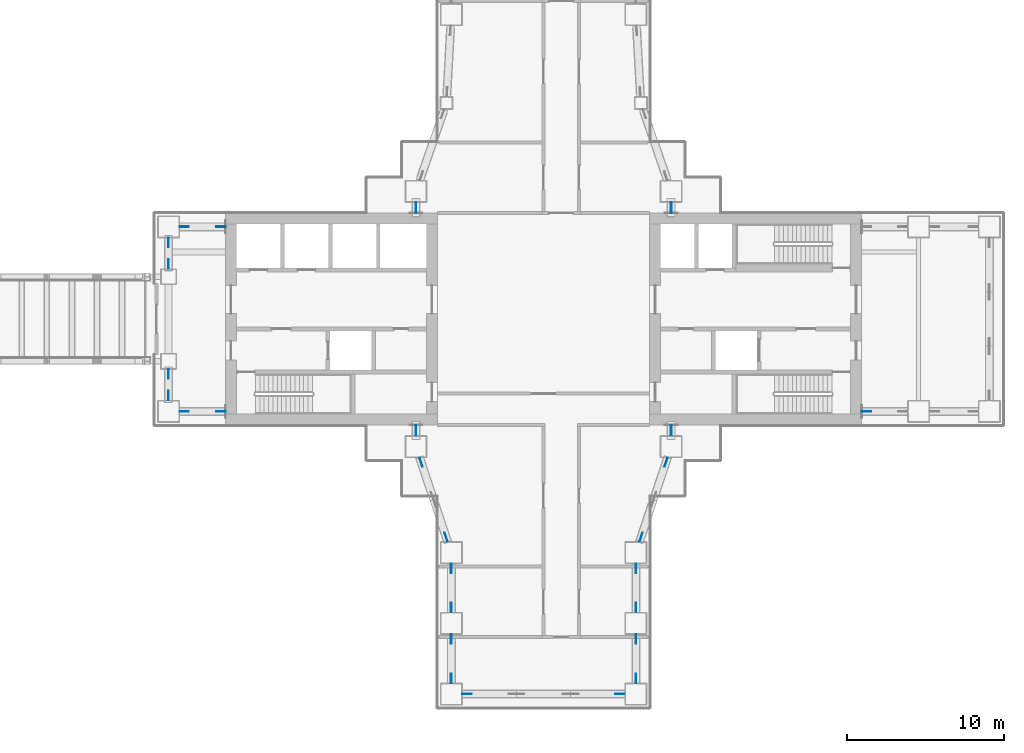
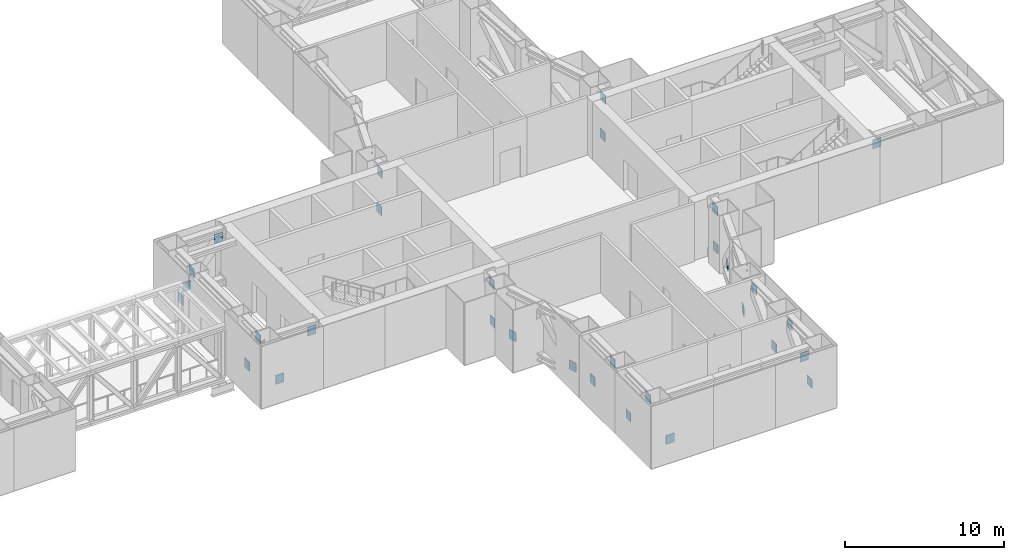
# One storey, part 20 of 23: 31 discrete accessories.
"""IFC4 building model written with IfcOpenShell, lengths in metres."""

from ifc_helpers import new_model, si_unit, direction, frame, origin, origin_2d, place, context, subcontext, project, spatial, rectangle, extrude, material, layer, layer_set, type_object, element, save


model = new_model("IFC4")

# Units and contexts
model_context = context("Model", 3, precision=1e-05, world=origin(), true_north=direction((0.0, 1.0)))
body_context = subcontext(model_context, "Body", "Model", "MODEL_VIEW")
ifc_project = project(units=[si_unit("LENGTHUNIT", "METRE"), si_unit("AREAUNIT", "SQUARE_METRE"), si_unit("VOLUMEUNIT", "CUBIC_METRE"), si_unit("PLANEANGLEUNIT", "RADIAN"), si_unit("MASSUNIT", "GRAM", prefix="KILO")], contexts=[model_context])

# Site, building, storey
site_placement = place(None, origin())
site = spatial("IfcSite", under=ifc_project, at=site_placement, CompositionType="ELEMENT")
building_placement = place(site_placement, origin())
building = spatial("IfcBuilding", under=site, at=building_placement, Name="Shamsa Quay Exchange Towers", CompositionType="ELEMENT")
storey_placement = place(building_placement, frame((0.0, 0.0, 77.10009765625)))
storey = spatial("IfcBuildingStorey", under=building, at=storey_placement, Name="L17", CompositionType="ELEMENT", Elevation=77.10009765625)

# Discrete accessories
ifc_material = material(Name="Steel S355", Category="steel")
ifc_layer = layer(ifc_material, 0.0400390625)
ifc_layer_set = layer_set([ifc_layer], Name="End plate 600x700x40")
discrete_accessory_type = type_object("IfcDiscreteAccessoryType", Name="End plate 600x700x40", PredefinedType="BRACKET", material=ifc_layer_set)
for number, where, name in (
    (1, (10.875, -5.875, 0.41943359375), "End plate T2 L17"),
    (2, (13.199951171875, -5.875, 3.33056640625), "End plate T2 L17"),
):
    element("IfcDiscreteAccessory", number, at=place(storey_placement, frame(where)), inside=storey, type_object=discrete_accessory_type, Name=name, PredefinedType="BRACKET", context=body_context, shape_type="SweptSolid", body=[
        extrude(rectangle(XDim=0.60009765625, YDim=0.0400390625, at=origin_2d()), origin(), (0.0, 0.0, 1.0), 0.699951171875),
    ])
for number, where, z_axis, x_axis, name in (
    (3, (25.625, -7.125, 0.41943359375), (0.0, 0.0, 1.0), (0.0, 1.0, 0.0), "End plate T2 L17"),
    (4, (25.625, -7.050048828125, 3.33056640625), (0.0, 0.0, 1.0), (0.0, 1.0, 0.0), "End plate T2 L17"),
    (5, (25.953125, -9.109619140625, 0.41943359375), (0.0, 0.0, 1.0), (0.316227766018, -0.94868329805, 0.0), "End plate T2 L17"),
    (6, (27.546875, -13.890380859375, 0.41943359375), (0.0, 0.0, 1.0), (0.316227766018, -0.94868329805, 0.0), "End plate T2 L17"),
    (7, (27.875, -15.875, 0.41943359375), (0.0, 0.0, 1.0), (0.0, -1.0, 0.0), "End plate T2 L17"),
    (8, (27.875, -18.375, 3.33056640625), (0.0, 0.0, 1.0), (0.0, -1.0, 0.0), "End plate T2 L17"),
    (9, (27.875, -20.375, 0.41943359375), (0.0, 0.0, 1.0), (0.0, -1.0, 0.0), "End plate T2 L17"),
    (10, (27.875, -22.875, 3.33056640625), (0.0, 0.0, 1.0), (0.0, -1.0, 0.0), "End plate T2 L17"),
):
    element("IfcDiscreteAccessory", number, at=place(storey_placement, frame(where, z_axis=z_axis, x_axis=x_axis)), inside=storey, type_object=discrete_accessory_type, Name=name, PredefinedType="BRACKET", context=body_context, shape_type="SweptSolid", body=[
        extrude(rectangle(XDim=0.60009765625, YDim=0.0400390625, at=origin_2d()), origin(), (0.0, 0.0, 1.0), 0.699951171875),
    ])
for number, where, name in (
    (11, (28.875, -23.875, 0.41943359375), "End plate T2 L17"),
    (12, (38.625, -23.875, 3.33056640625), "End plate T2 L17"),
):
    element("IfcDiscreteAccessory", number, at=place(storey_placement, frame(where)), inside=storey, type_object=discrete_accessory_type, Name=name, PredefinedType="BRACKET", context=body_context, shape_type="SweptSolid", body=[
        extrude(rectangle(XDim=0.60009765625, YDim=0.0400390625, at=origin_2d()), origin(), (0.0, 0.0, 1.0), 0.699951171875),
    ])
for number, where, z_axis, x_axis, name in (
    (13, (39.625, -22.875, 0.41943359375), (0.0, 0.0, 1.0), (0.0, 1.0, 0.0), "End plate T2 L17"),
    (14, (39.625, -20.375, 3.33056640625), (0.0, 0.0, 1.0), (0.0, 1.0, 0.0), "End plate T2 L17"),
    (15, (39.625, -18.375, 0.41943359375), (0.0, 0.0, 1.0), (0.0, 1.0, 0.0), "End plate T2 L17"),
    (16, (39.625, -15.875, 3.33056640625), (0.0, 0.0, 1.0), (0.0, 1.0, 0.0), "End plate T2 L17"),
    (17, (39.953125, -13.890380859375, 0.41943359375), (0.0, 0.0, 1.0), (0.316227766018, 0.94868329805, 0.0), "End plate T2 L17"),
    (18, (41.546875, -9.109619140625, 0.41943359375), (0.0, 0.0, 1.0), (0.316227766018, 0.94868329805, 0.0), "End plate T2 L17"),
    (19, (41.875, -7.125, 0.41943359375), (0.0, 0.0, 1.0), (0.0, 1.0, 0.0), "End plate T2 L17"),
    (20, (41.875, -7.050048828125, 3.33056640625), (0.0, 0.0, 1.0), (0.0, 1.0, 0.0), "End plate T2 L17"),
    (21, (54.300048828125, -5.875, 3.33056640625), (0.0, 0.0, 1.0), (-1.0, 0.0, 0.0), "End plate T2 L17"),
    (22, (41.875, 7.125, 0.41943359375), (0.0, 0.0, 1.0), (0.0, -1.0, 0.0), "End plate T2 L17"),
    (23, (41.875, 7.050048828125, 3.33056640625), (0.0, 0.0, 1.0), (0.0, -1.0, 0.0), "End plate T2 L17"),
    (24, (25.625, 7.125, 0.41943359375), (0.0, 0.0, 1.0), (0.0, -1.0, 0.0), "End plate T2 L17"),
    (25, (25.625, 7.050048828125, 3.33056640625), (0.0, 0.0, 1.0), (0.0, -1.0, 0.0), "End plate T2 L17"),
):
    element("IfcDiscreteAccessory", number, at=place(storey_placement, frame(where, z_axis=z_axis, x_axis=x_axis)), inside=storey, type_object=discrete_accessory_type, Name=name, PredefinedType="BRACKET", context=body_context, shape_type="SweptSolid", body=[
        extrude(rectangle(XDim=0.60009765625, YDim=0.0400390625, at=origin_2d()), origin(), (0.0, 0.0, 1.0), 0.699951171875),
    ])
for number, where, name in (
    (26, (10.875, 5.875, 0.41943359375), "End plate T2 L17"),
    (27, (13.199951171875, 5.875, 3.33056640625), "End plate T2 L17"),
):
    element("IfcDiscreteAccessory", number, at=place(storey_placement, frame(where)), inside=storey, type_object=discrete_accessory_type, Name=name, PredefinedType="BRACKET", context=body_context, shape_type="SweptSolid", body=[
        extrude(rectangle(XDim=0.60009765625, YDim=0.0400390625, at=origin_2d()), origin(), (0.0, 0.0, 1.0), 0.699951171875),
    ])
for number, where, z_axis, x_axis, name in (
    (28, (9.875, 4.875, 0.41943359375), (0.0, 0.0, 1.0), (0.0, -1.0, 0.0), "End plate T2 L17"),
    (29, (9.875, 3.5, 3.33056640625), (0.0, 0.0, 1.0), (0.0, -1.0, 0.0), "End plate T2 L17"),
    (30, (9.875, -3.5, 0.41943359375), (0.0, 0.0, 1.0), (0.0, -1.0, 0.0), "End plate T2 L17"),
    (31, (9.875, -4.875, 3.33056640625), (0.0, 0.0, 1.0), (0.0, -1.0, 0.0), "End plate T2 L17"),
):
    element("IfcDiscreteAccessory", number, at=place(storey_placement, frame(where, z_axis=z_axis, x_axis=x_axis)), inside=storey, type_object=discrete_accessory_type, Name=name, PredefinedType="BRACKET", context=body_context, shape_type="SweptSolid", body=[
        extrude(rectangle(XDim=0.60009765625, YDim=0.0400390625, at=origin_2d()), origin(), (0.0, 0.0, 1.0), 0.699951171875),
    ])

save(model, "model.ifc")
